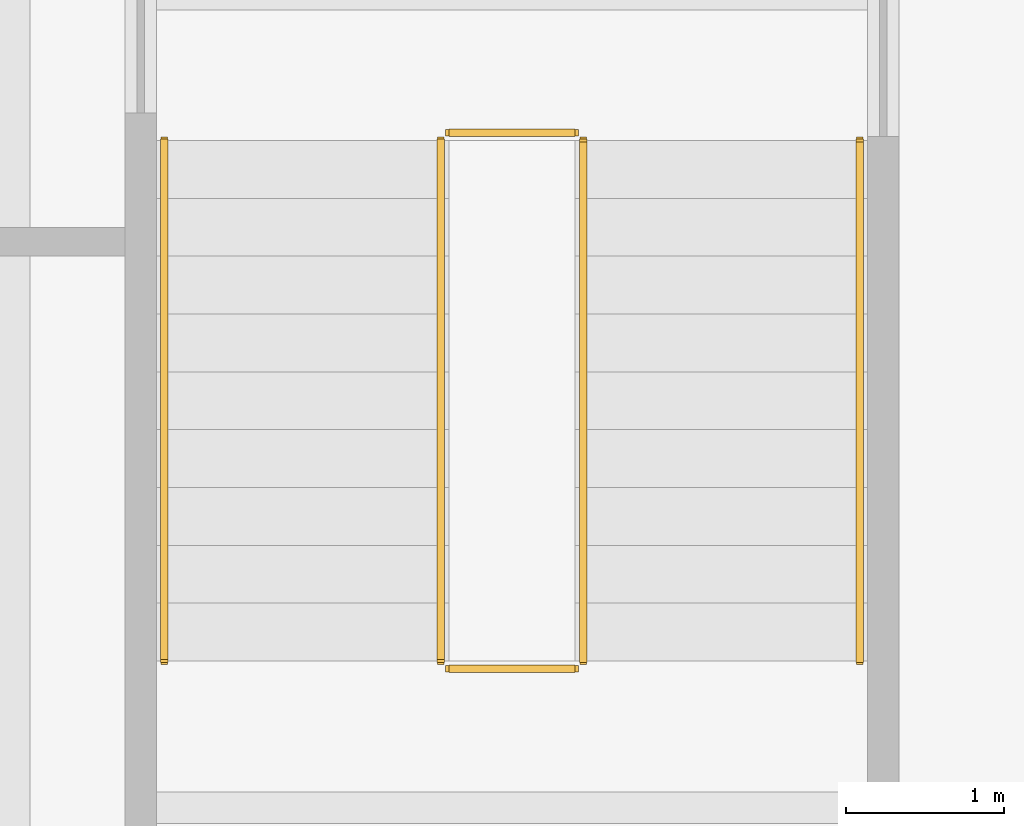
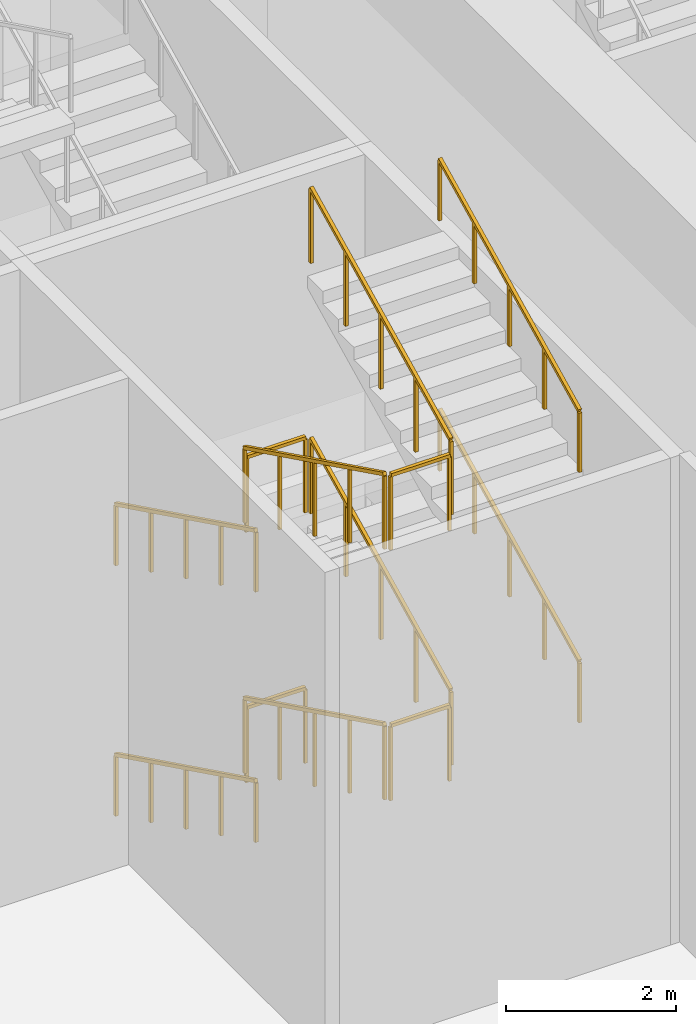
# One storey, part 34 of 41: 12 railings.
"""IFC4 building model written with IfcOpenShell, lengths in metres."""

from ifc_helpers import new_model, si_unit, direction, frame, origin, origin_2d, place, context, subcontext, project, spatial, rectangle, extrude, material, type_object, element, save


model = new_model("IFC4")

# Units and contexts
model_context = context("Model", 3, precision=1e-05, world=origin(), true_north=direction((0.0, 1.0)))
body_context = subcontext(model_context, "Body", "Model", "MODEL_VIEW")
ifc_project = project(units=[si_unit("LENGTHUNIT", "METRE"), si_unit("AREAUNIT", "SQUARE_METRE"), si_unit("VOLUMEUNIT", "CUBIC_METRE"), si_unit("PLANEANGLEUNIT", "RADIAN"), si_unit("MASSUNIT", "GRAM", prefix="KILO")], contexts=[model_context])

# Site, building, storey
site_placement = place(None, origin())
site = spatial("IfcSite", under=ifc_project, at=site_placement, CompositionType="ELEMENT")
building_placement = place(site_placement, origin())
building = spatial("IfcBuilding", under=site, at=building_placement, Name="Rattan Terrace Tower", CompositionType="ELEMENT")
storey_placement = place(building_placement, origin())
storey = spatial("IfcBuildingStorey", under=building, at=storey_placement, Name="L00", CompositionType="ELEMENT", Elevation=0.0)

# Railings
ifc_material_1 = material(Name="Powder-coated steel guard", Category="steel")
railing_type_1 = type_object("IfcRailingType", Name="Core stair guard", PredefinedType="GUARDRAIL", material=ifc_material_1)
railing_1_placement = place(storey_placement, frame((-23.300048828125, -2.050048828125, 0.179931640625)))
element("IfcRailing", 1, at=railing_1_placement, inside=storey, type_object=railing_type_1, Name="L00 S4 stair guard 1", PredefinedType="GUARDRAIL", context=body_context, shape_type="SweptSolid", body=[
    extrude(rectangle(XDim=0.048095703125, YDim=0.048095703125, at=origin_2d()), frame((0.0, 0.0, 1.076171875), z_axis=(0.0, -0.897334421457, 0.441351261547), x_axis=(1.0, 0.0, 0.0)), (0.0, 0.0, 1.0), 3.6708984375),
    extrude(rectangle(XDim=0.0419921875, YDim=0.0419921875, at=origin_2d()), origin(), (0.0, 0.0, 1.0), 1.052001953125),
    extrude(rectangle(XDim=0.0419921875, YDim=0.0419921875, at=origin_2d()), frame((0.0, -0.823486328125, 0.405029296875)), (0.0, 0.0, 1.0), 1.052001953125),
    extrude(rectangle(XDim=0.0419921875, YDim=0.0419921875, at=origin_2d()), frame((0.0, -1.64697265625, 0.81005859375)), (0.0, 0.0, 1.0), 1.052001953125),
    extrude(rectangle(XDim=0.0419921875, YDim=0.0419921875, at=origin_2d()), frame((0.0, -2.470458984375, 1.215087890625)), (0.0, 0.0, 1.0), 1.052001953125),
    extrude(rectangle(XDim=0.0419921875, YDim=0.0419921875, at=origin_2d()), frame((0.0, -3.2939453125, 1.6201171875)), (0.0, 0.0, 1.0), 1.052001953125),
])
railing_2_placement = place(storey_placement, frame((-23.25, -5.39404296875, 1.800048828125)))
element("IfcRailing", 2, at=railing_2_placement, inside=storey, type_object=railing_type_1, Name="L00 S4 stair guard 2", PredefinedType="GUARDRAIL", context=body_context, shape_type="SweptSolid", body=[
    extrude(rectangle(XDim=0.048095703125, YDim=0.048095703125, at=origin_2d()), frame((0.0, 0.0, 1.076171875), z_axis=(1.0, 0.0, 0.0), x_axis=(0.0, 1.0, 0.0)), (0.0, 0.0, 1.0), 0.800048828125),
    extrude(rectangle(XDim=0.0419921875, YDim=0.0419921875, at=origin_2d()), origin(), (0.0, 0.0, 1.0), 1.052001953125),
    extrude(rectangle(XDim=0.0419921875, YDim=0.0419921875, at=origin_2d()), frame((0.800048828125, 0.0, 0.0)), (0.0, 0.0, 1.0), 1.052001953125),
])
railing_3_placement = place(storey_placement, frame((-22.39990234375, -5.343994140625, 1.97998046875)))
element("IfcRailing", 3, at=railing_3_placement, inside=storey, type_object=railing_type_1, Name="L00 S4 stair guard 3", PredefinedType="GUARDRAIL", context=body_context, shape_type="SweptSolid", body=[
    extrude(rectangle(XDim=0.048095703125, YDim=0.048095703125, at=origin_2d()), frame((0.0, 0.0, 1.076171875), z_axis=(0.0, 0.897334421457, 0.441351261547), x_axis=(-1.0, 0.0, 0.0)), (0.0, 0.0, 1.0), 3.6708984375),
    extrude(rectangle(XDim=0.0419921875, YDim=0.0419921875, at=origin_2d()), origin(), (0.0, 0.0, 1.0), 1.052001953125),
    extrude(rectangle(XDim=0.0419921875, YDim=0.0419921875, at=origin_2d()), frame((0.0, 0.823486328125, 0.405029296875)), (0.0, 0.0, 1.0), 1.052001953125),
    extrude(rectangle(XDim=0.0419921875, YDim=0.0419921875, at=origin_2d()), frame((0.0, 1.64697265625, 0.81005859375)), (0.0, 0.0, 1.0), 1.052001953125),
    extrude(rectangle(XDim=0.0419921875, YDim=0.0419921875, at=origin_2d()), frame((0.0, 2.470458984375, 1.215087890625)), (0.0, 0.0, 1.0), 1.052001953125),
    extrude(rectangle(XDim=0.0419921875, YDim=0.0419921875, at=origin_2d()), frame((0.0, 3.2939453125, 1.6201171875)), (0.0, 0.0, 1.0), 1.052001953125),
])
railing_4_placement = place(storey_placement, frame((-23.25, -2.0, 3.60009765625)))
element("IfcRailing", 4, at=railing_4_placement, inside=storey, type_object=railing_type_1, Name="L00 S4 stair guard 4", PredefinedType="GUARDRAIL", context=body_context, shape_type="SweptSolid", body=[
    extrude(rectangle(XDim=0.048095703125, YDim=0.048095703125, at=origin_2d()), frame((0.0, 0.0, 1.076171875), z_axis=(1.0, 0.0, 0.0), x_axis=(0.0, 1.0, 0.0)), (0.0, 0.0, 1.0), 0.800048828125),
    extrude(rectangle(XDim=0.0419921875, YDim=0.0419921875, at=origin_2d()), origin(), (0.0, 0.0, 1.0), 1.052001953125),
    extrude(rectangle(XDim=0.0419921875, YDim=0.0419921875, at=origin_2d()), frame((0.800048828125, 0.0, 0.0)), (0.0, 0.0, 1.0), 1.052001953125),
])
railing_5_placement = place(storey_placement, frame((-23.300048828125, -2.050048828125, 3.780029296875)))
element("IfcRailing", 5, at=railing_5_placement, inside=storey, type_object=railing_type_1, Name="L00 S4 stair guard 5", PredefinedType="GUARDRAIL", context=body_context, shape_type="SweptSolid", body=[
    extrude(rectangle(XDim=0.048095703125, YDim=0.048095703125, at=origin_2d()), frame((0.0, 0.0, 1.076171875), z_axis=(0.0, -0.897360760688, 0.441297705838), x_axis=(1.0, 0.0, 0.0)), (0.0, 0.0, 1.0), 3.670654296875),
    extrude(rectangle(XDim=0.0419921875, YDim=0.0419921875, at=origin_2d()), origin(), (0.0, 0.0, 1.0), 1.052001953125),
    extrude(rectangle(XDim=0.0419921875, YDim=0.0419921875, at=origin_2d()), frame((0.0, -0.823486328125, 0.405029296875)), (0.0, 0.0, 1.0), 1.052001953125),
    extrude(rectangle(XDim=0.0419921875, YDim=0.0419921875, at=origin_2d()), frame((0.0, -1.64697265625, 0.81005859375)), (0.0, 0.0, 1.0), 1.052001953125),
    extrude(rectangle(XDim=0.0419921875, YDim=0.0419921875, at=origin_2d()), frame((0.0, -2.470458984375, 1.21484375)), (0.0, 0.0, 1.0), 1.052001953125),
    extrude(rectangle(XDim=0.0419921875, YDim=0.0419921875, at=origin_2d()), frame((0.0, -3.2939453125, 1.619873046875)), (0.0, 0.0, 1.0), 1.052001953125),
])
railing_6_placement = place(storey_placement, frame((-23.25, -5.39404296875, 5.39990234375)))
element("IfcRailing", 6, at=railing_6_placement, inside=storey, type_object=railing_type_1, Name="L00 S4 stair guard 6", PredefinedType="GUARDRAIL", context=body_context, shape_type="SweptSolid", body=[
    extrude(rectangle(XDim=0.048095703125, YDim=0.048095703125, at=origin_2d()), frame((0.0, 0.0, 1.076171875), z_axis=(1.0, 0.0, 0.0), x_axis=(0.0, 1.0, 0.0)), (0.0, 0.0, 1.0), 0.800048828125),
    extrude(rectangle(XDim=0.0419921875, YDim=0.0419921875, at=origin_2d()), origin(), (0.0, 0.0, 1.0), 1.052001953125),
    extrude(rectangle(XDim=0.0419921875, YDim=0.0419921875, at=origin_2d()), frame((0.800048828125, 0.0, 0.0)), (0.0, 0.0, 1.0), 1.052001953125),
])
railing_7_placement = place(storey_placement, frame((-22.39990234375, -5.343994140625, 5.580078125)))
element("IfcRailing", 7, at=railing_7_placement, inside=storey, type_object=railing_type_1, Name="L00 S4 stair guard 7", PredefinedType="GUARDRAIL", context=body_context, shape_type="SweptSolid", body=[
    extrude(rectangle(XDim=0.048095703125, YDim=0.048095703125, at=origin_2d()), frame((0.0, 0.0, 1.076171875), z_axis=(0.0, 0.897360760688, 0.441297705838), x_axis=(-1.0, 0.0, 0.0)), (0.0, 0.0, 1.0), 3.670654296875),
    extrude(rectangle(XDim=0.0419921875, YDim=0.0419921875, at=origin_2d()), origin(), (0.0, 0.0, 1.0), 1.052001953125),
    extrude(rectangle(XDim=0.0419921875, YDim=0.0419921875, at=origin_2d()), frame((0.0, 0.823486328125, 0.405029296875)), (0.0, 0.0, 1.0), 1.052001953125),
    extrude(rectangle(XDim=0.0419921875, YDim=0.0419921875, at=origin_2d()), frame((0.0, 1.64697265625, 0.81005859375)), (0.0, 0.0, 1.0), 1.052001953125),
    extrude(rectangle(XDim=0.0419921875, YDim=0.0419921875, at=origin_2d()), frame((0.0, 2.470458984375, 1.21484375)), (0.0, 0.0, 1.0), 1.052001953125),
    extrude(rectangle(XDim=0.0419921875, YDim=0.0419921875, at=origin_2d()), frame((0.0, 3.2939453125, 1.619873046875)), (0.0, 0.0, 1.0), 1.052001953125),
])
railing_8_placement = place(storey_placement, frame((-23.25, -2.0, 0.0)))
element("IfcRailing", 8, at=railing_8_placement, inside=storey, type_object=railing_type_1, Name="L00 S4 stair guard 8", PredefinedType="GUARDRAIL", context=body_context, shape_type="SweptSolid", body=[
    extrude(rectangle(XDim=0.048095703125, YDim=0.048095703125, at=origin_2d()), frame((0.0, 0.0, 1.076171875), z_axis=(1.0, 0.0, 0.0), x_axis=(0.0, 1.0, 0.0)), (0.0, 0.0, 1.0), 0.800048828125),
    extrude(rectangle(XDim=0.0419921875, YDim=0.0419921875, at=origin_2d()), origin(), (0.0, 0.0, 1.0), 1.052001953125),
    extrude(rectangle(XDim=0.0419921875, YDim=0.0419921875, at=origin_2d()), frame((0.800048828125, 0.0, 0.0)), (0.0, 0.0, 1.0), 1.052001953125),
])
ifc_material_2 = material(Name="Powder-coated steel handrail", Category="steel")
railing_type_2 = type_object("IfcRailingType", Name="Core stair handrail", PredefinedType="HANDRAIL", material=ifc_material_2)
railing_9_placement = place(storey_placement, frame((-25.050048828125, -2.050048828125, 0.179931640625)))
element("IfcRailing", 9, at=railing_9_placement, inside=storey, type_object=railing_type_2, Name="L00 S4 stair handrail 1", PredefinedType="HANDRAIL", context=body_context, shape_type="SweptSolid", body=[
    extrude(rectangle(XDim=0.048095703125, YDim=0.048095703125, at=origin_2d()), frame((0.0, 0.0, 0.8759765625), z_axis=(0.0, -0.897334421457, 0.441351261547), x_axis=(1.0, 0.0, 0.0)), (0.0, 0.0, 1.0), 3.6708984375),
    extrude(rectangle(XDim=0.0419921875, YDim=0.0419921875, at=origin_2d()), origin(), (0.0, 0.0, 1.0), 0.851806640625),
    extrude(rectangle(XDim=0.0419921875, YDim=0.0419921875, at=origin_2d()), frame((0.0, -0.823486328125, 0.405029296875)), (0.0, 0.0, 1.0), 0.851806640625),
    extrude(rectangle(XDim=0.0419921875, YDim=0.0419921875, at=origin_2d()), frame((0.0, -1.64697265625, 0.81005859375)), (0.0, 0.0, 1.0), 0.851806640625),
    extrude(rectangle(XDim=0.0419921875, YDim=0.0419921875, at=origin_2d()), frame((0.0, -2.470458984375, 1.215087890625)), (0.0, 0.0, 1.0), 0.851806640625),
    extrude(rectangle(XDim=0.0419921875, YDim=0.0419921875, at=origin_2d()), frame((0.0, -3.2939453125, 1.6201171875)), (0.0, 0.0, 1.0), 0.851806640625),
])
railing_10_placement = place(storey_placement, frame((-20.64990234375, -5.343994140625, 1.97998046875)))
element("IfcRailing", 10, at=railing_10_placement, inside=storey, type_object=railing_type_2, Name="L00 S4 stair handrail 2", PredefinedType="HANDRAIL", context=body_context, shape_type="SweptSolid", body=[
    extrude(rectangle(XDim=0.048095703125, YDim=0.048095703125, at=origin_2d()), frame((0.0, 0.0, 0.8759765625), z_axis=(0.0, 0.897334421457, 0.441351261547), x_axis=(-1.0, 0.0, 0.0)), (0.0, 0.0, 1.0), 3.6708984375),
    extrude(rectangle(XDim=0.0419921875, YDim=0.0419921875, at=origin_2d()), origin(), (0.0, 0.0, 1.0), 0.851806640625),
    extrude(rectangle(XDim=0.0419921875, YDim=0.0419921875, at=origin_2d()), frame((0.0, 0.823486328125, 0.405029296875)), (0.0, 0.0, 1.0), 0.851806640625),
    extrude(rectangle(XDim=0.0419921875, YDim=0.0419921875, at=origin_2d()), frame((0.0, 1.64697265625, 0.81005859375)), (0.0, 0.0, 1.0), 0.851806640625),
    extrude(rectangle(XDim=0.0419921875, YDim=0.0419921875, at=origin_2d()), frame((0.0, 2.470458984375, 1.215087890625)), (0.0, 0.0, 1.0), 0.851806640625),
    extrude(rectangle(XDim=0.0419921875, YDim=0.0419921875, at=origin_2d()), frame((0.0, 3.2939453125, 1.6201171875)), (0.0, 0.0, 1.0), 0.851806640625),
])
railing_11_placement = place(storey_placement, frame((-25.050048828125, -2.050048828125, 3.780029296875)))
element("IfcRailing", 11, at=railing_11_placement, inside=storey, type_object=railing_type_2, Name="L00 S4 stair handrail 3", PredefinedType="HANDRAIL", context=body_context, shape_type="SweptSolid", body=[
    extrude(rectangle(XDim=0.048095703125, YDim=0.048095703125, at=origin_2d()), frame((0.0, 0.0, 0.8759765625), z_axis=(0.0, -0.897360760688, 0.441297705838), x_axis=(1.0, 0.0, 0.0)), (0.0, 0.0, 1.0), 3.670654296875),
    extrude(rectangle(XDim=0.0419921875, YDim=0.0419921875, at=origin_2d()), origin(), (0.0, 0.0, 1.0), 0.851806640625),
    extrude(rectangle(XDim=0.0419921875, YDim=0.0419921875, at=origin_2d()), frame((0.0, -0.823486328125, 0.405029296875)), (0.0, 0.0, 1.0), 0.851806640625),
    extrude(rectangle(XDim=0.0419921875, YDim=0.0419921875, at=origin_2d()), frame((0.0, -1.64697265625, 0.81005859375)), (0.0, 0.0, 1.0), 0.851806640625),
    extrude(rectangle(XDim=0.0419921875, YDim=0.0419921875, at=origin_2d()), frame((0.0, -2.470458984375, 1.21484375)), (0.0, 0.0, 1.0), 0.851806640625),
    extrude(rectangle(XDim=0.0419921875, YDim=0.0419921875, at=origin_2d()), frame((0.0, -3.2939453125, 1.619873046875)), (0.0, 0.0, 1.0), 0.851806640625),
])
railing_12_placement = place(storey_placement, frame((-20.64990234375, -5.343994140625, 5.580078125)))
element("IfcRailing", 12, at=railing_12_placement, inside=storey, type_object=railing_type_2, Name="L00 S4 stair handrail 4", PredefinedType="HANDRAIL", context=body_context, shape_type="SweptSolid", body=[
    extrude(rectangle(XDim=0.048095703125, YDim=0.048095703125, at=origin_2d()), frame((0.0, 0.0, 0.8759765625), z_axis=(0.0, 0.897360760688, 0.441297705838), x_axis=(-1.0, 0.0, 0.0)), (0.0, 0.0, 1.0), 3.670654296875),
    extrude(rectangle(XDim=0.0419921875, YDim=0.0419921875, at=origin_2d()), origin(), (0.0, 0.0, 1.0), 0.851806640625),
    extrude(rectangle(XDim=0.0419921875, YDim=0.0419921875, at=origin_2d()), frame((0.0, 0.823486328125, 0.405029296875)), (0.0, 0.0, 1.0), 0.851806640625),
    extrude(rectangle(XDim=0.0419921875, YDim=0.0419921875, at=origin_2d()), frame((0.0, 1.64697265625, 0.81005859375)), (0.0, 0.0, 1.0), 0.851806640625),
    extrude(rectangle(XDim=0.0419921875, YDim=0.0419921875, at=origin_2d()), frame((0.0, 2.470458984375, 1.21484375)), (0.0, 0.0, 1.0), 0.851806640625),
    extrude(rectangle(XDim=0.0419921875, YDim=0.0419921875, at=origin_2d()), frame((0.0, 3.2939453125, 1.619873046875)), (0.0, 0.0, 1.0), 0.851806640625),
])

save(model, "model.ifc")
